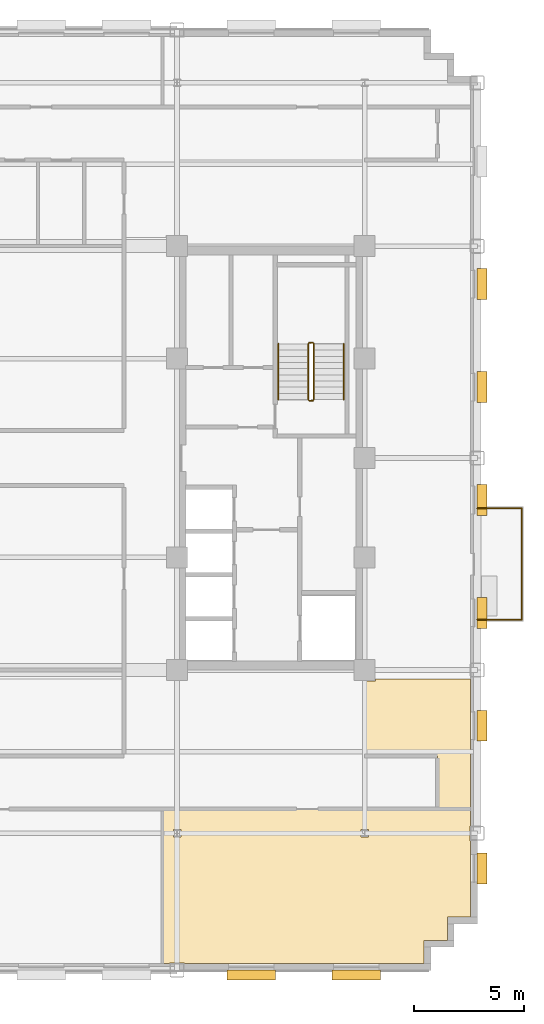
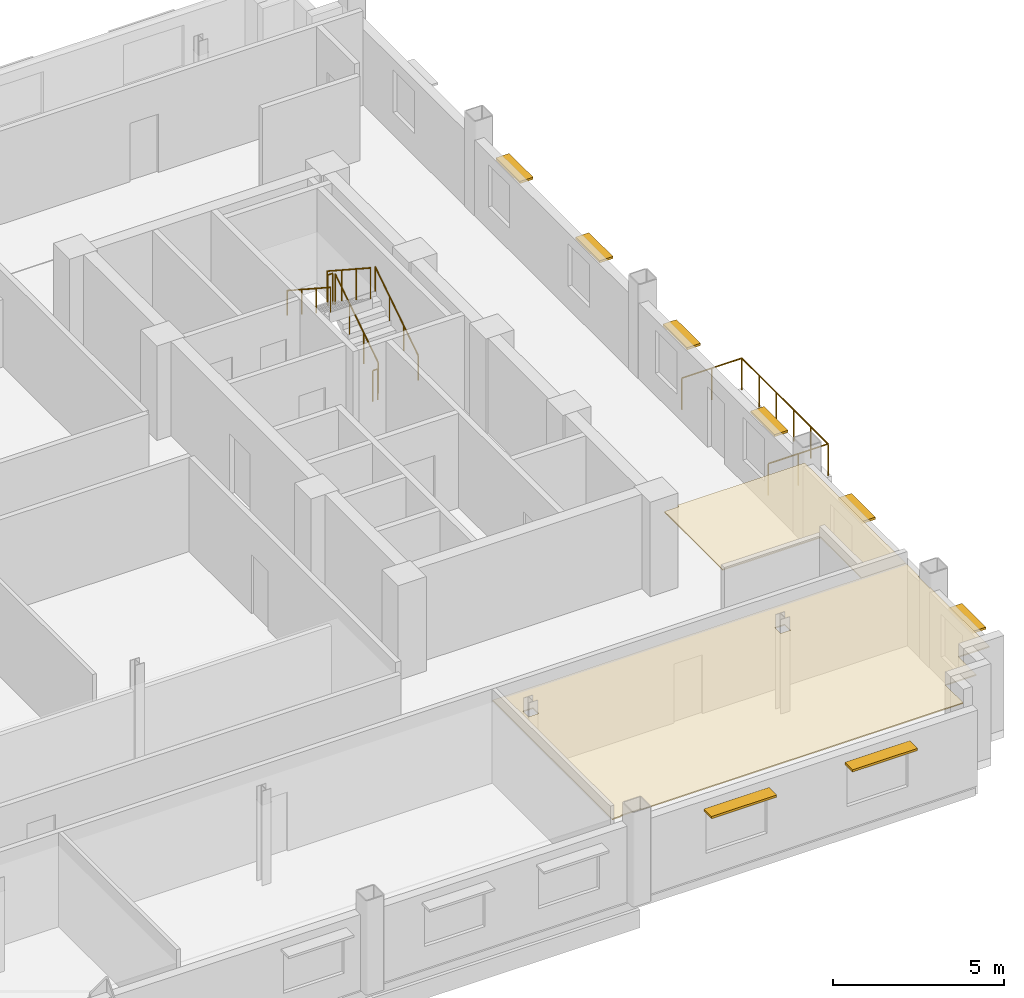
# One storey, part 13 of 14: 8 shading devices, 7 railings, 2 coverings.
"""IFC4 building model written with IfcOpenShell, lengths in metres."""

from ifc_helpers import new_model, si_unit, direction, frame, origin, origin_2d, place, context, subcontext, project, spatial, polyline, rectangle, circle, outline, extrude, source, transform, mapped, material, layer, layer_set, type_object, type_shapes, element, save


model = new_model("IFC4")

# Units and contexts
model_context = context("Model", 3, precision=1e-05, world=origin(), true_north=direction((0.0, 1.0)))
body_context = subcontext(model_context, "Body", "Model", "MODEL_VIEW")
ifc_project = project(units=[si_unit("LENGTHUNIT", "METRE"), si_unit("AREAUNIT", "SQUARE_METRE"), si_unit("VOLUMEUNIT", "CUBIC_METRE"), si_unit("PLANEANGLEUNIT", "RADIAN"), si_unit("MASSUNIT", "GRAM", prefix="KILO")], contexts=[model_context])

# Site, building, storey
site_placement = place(None, origin())
site = spatial("IfcSite", under=ifc_project, at=site_placement, CompositionType="ELEMENT")
building_placement = place(site_placement, origin())
building = spatial("IfcBuilding", under=site, at=building_placement, Name="Nuvemarco Arch Tower", CompositionType="ELEMENT")
storey_placement = place(building_placement, frame((0.0, 0.0, 171.300048828125)))
storey = spatial("IfcBuildingStorey", under=building, at=storey_placement, Name="L45", CompositionType="ELEMENT", Elevation=171.300048828125)

# Coverings
ifc_material_1 = material(Name="Mineral acoustic ceiling tile")
ifc_layer = layer(ifc_material_1, 0.0400390625, Name="COV-ACOUSTIC-CLG")
ifc_layer_set = layer_set([ifc_layer], Name="Mineral acoustic ceiling tile")
covering_type = type_object("IfcCoveringType", Name="COV-ACOUSTIC-CLG", PredefinedType="CEILING", material=ifc_layer_set)
covering_1_placement = place(storey_placement, frame((0.0, 0.0, 2.849853515625)))
element("IfcCovering", 1, at=covering_1_placement, inside=storey, type_object=covering_type, Name="L45 suspended acoustic ceiling 2", PredefinedType="CEILING", context=body_context, shape_type="SweptSolid", body=[
    extrude(outline(polyline([(17.5, -10.090087890625), (17.989990234375, -10.090087890625), (17.989990234375, -10.0), (22.2900390625, -10.0), (22.2900390625, -15.89990234375), (20.800048828125, -15.89990234375), (20.800048828125, -13.5), (17.5, -13.5), (17.5, -10.090087890625)])), origin(), (0.0, 0.0, 1.0), 0.0400390625),
])
covering_2_placement = place(storey_placement, frame((0.0, 0.0, 2.849853515625)))
element("IfcCovering", 2, at=covering_2_placement, inside=storey, type_object=covering_type, Name="L45 suspended acoustic ceiling 6", PredefinedType="CEILING", context=body_context, shape_type="SweptSolid", body=[
    extrude(outline(polyline([(20.18994140625, -22.889892578125), (9.340087890625, -22.889892578125), (9.340087890625, -22.860107421875), (8.659912109375, -22.860107421875), (8.659912109375, -22.889892578125), (8.35009765625, -22.889892578125), (8.35009765625, -15.89990234375), (9.0, -15.89990234375), (20.800048828125, -15.89990234375), (22.2900390625, -15.89990234375), (22.2900390625, -16.659912109375), (22.260009765625, -16.659912109375), (22.260009765625, -17.340087890625), (22.2900390625, -17.340087890625), (22.2900390625, -20.7900390625), (21.239990234375, -20.7900390625), (21.239990234375, -21.840087890625), (20.18994140625, -21.840087890625), (20.18994140625, -22.889892578125)]), holes=[polyline([(9.169921875, -17.169921875), (9.169921875, -16.830078125), (8.830078125, -16.830078125), (8.830078125, -17.169921875), (9.169921875, -17.169921875)]), polyline([(17.669921875, -17.169921875), (17.669921875, -16.830078125), (17.330078125, -16.830078125), (17.330078125, -17.169921875), (17.669921875, -17.169921875)])]), origin(), (0.0, 0.0, 1.0), 0.0400390625),
])

# Railings
ifc_material_2 = material(Name="Brushed stainless steel handrail", Category="steel")
railing_type_1 = type_object("IfcRailingType", Name="RL-HANDRAIL-900", PredefinedType="HANDRAIL", material=ifc_material_2)
railing_1_placement = place(storey_placement, frame((16.550048828125, 2.64990234375, 0.182373046875)))
element("IfcRailing", 3, at=railing_1_placement, inside=storey, type_object=railing_type_1, Name="L45 ST-2 stair handrail 1", PredefinedType="HANDRAIL", context=body_context, shape_type="SweptSolid", body=[
    extrude(circle(Radius=0.02392578125, at=origin_2d()), frame((0.0, 0.0, 0.8759765625), z_axis=(0.0, 0.837749427056, 0.546054848405), x_axis=(-1.0, 0.0, 0.0)), (0.0, 0.0, 1.0), 3.008056640625),
    extrude(circle(Radius=0.02099609375, at=origin_2d()), origin(), (0.0, 0.0, 1.0), 0.851806640625),
    extrude(circle(Radius=0.02099609375, at=origin_2d()), frame((0.0, 0.840087890625, 0.547607421875)), (0.0, 0.0, 1.0), 0.851806640625),
    extrude(circle(Radius=0.02099609375, at=origin_2d()), frame((0.0, 1.679931640625, 1.094970703125)), (0.0, 0.0, 1.0), 0.851806640625),
    extrude(circle(Radius=0.02099609375, at=origin_2d()), frame((0.0, 2.52001953125, 1.642578125)), (0.0, 0.0, 1.0), 0.851806640625),
])
railing_2_placement = place(storey_placement, frame((13.590087890625, 5.169921875, 2.007568359375)))
element("IfcRailing", 4, at=railing_2_placement, inside=storey, type_object=railing_type_1, Name="L45 ST-2 stair handrail 2", PredefinedType="HANDRAIL", context=body_context, shape_type="SweptSolid", body=[
    extrude(circle(Radius=0.02392578125, at=origin_2d()), frame((0.0, 0.0, 0.8759765625), z_axis=(0.0, -0.837786554691, 0.545997883492), x_axis=(1.0, 0.0, 0.0)), (0.0, 0.0, 1.0), 3.008056640625),
    extrude(circle(Radius=0.02099609375, at=origin_2d()), origin(), (0.0, 0.0, 1.0), 0.851806640625),
    extrude(circle(Radius=0.02099609375, at=origin_2d()), frame((0.0, -0.840087890625, 0.54736328125)), (0.0, 0.0, 1.0), 0.851806640625),
    extrude(circle(Radius=0.02099609375, at=origin_2d()), frame((0.0, -1.679931640625, 1.094970703125)), (0.0, 0.0, 1.0), 0.851806640625),
    extrude(circle(Radius=0.02099609375, at=origin_2d()), frame((0.0, -2.52001953125, 1.642333984375)), (0.0, 0.0, 1.0), 0.851806640625),
])
ifc_material_3 = material(Name="Painted balustrade steel S355", Category="steel")
railing_type_2 = type_object("IfcRailingType", Name="RL-STAIR-GUARD", PredefinedType="GUARDRAIL", material=ifc_material_3)
railing_3_placement = place(storey_placement, frame((15.199951171875, 2.64990234375, 0.182373046875)))
element("IfcRailing", 5, at=railing_3_placement, inside=storey, type_object=railing_type_2, Name="L45 ST-2 stair guard 1", PredefinedType="GUARDRAIL", context=body_context, shape_type="SweptSolid", body=[
    extrude(circle(Radius=0.02392578125, at=origin_2d()), frame((0.0, 0.0, 1.09619140625), z_axis=(0.0, 0.837749427056, 0.546054848405), x_axis=(-1.0, 0.0, 0.0)), (0.0, 0.0, 1.0), 3.008056640625),
    extrude(circle(Radius=0.02099609375, at=origin_2d()), origin(), (0.0, 0.0, 1.0), 1.072021484375),
    extrude(circle(Radius=0.02099609375, at=origin_2d()), frame((0.0, 0.840087890625, 0.547607421875)), (0.0, 0.0, 1.0), 1.072021484375),
    extrude(circle(Radius=0.02099609375, at=origin_2d()), frame((0.0, 1.679931640625, 1.094970703125)), (0.0, 0.0, 1.0), 1.072021484375),
    extrude(circle(Radius=0.02099609375, at=origin_2d()), frame((0.0, 2.52001953125, 1.642578125)), (0.0, 0.0, 1.0), 1.072021484375),
])
railing_4_placement = place(storey_placement, frame((15.14990234375, 5.219970703125, 1.824951171875)))
element("IfcRailing", 6, at=railing_4_placement, inside=storey, type_object=railing_type_2, Name="L45 ST-2 stair guard 2", PredefinedType="GUARDRAIL", context=body_context, shape_type="SweptSolid", body=[
    extrude(circle(Radius=0.02392578125, at=origin_2d()), frame((0.0, 0.0, 1.09619140625), z_axis=(-1.0, 0.0, 0.0), x_axis=(0.0, -1.0, 0.0)), (0.0, 0.0, 1.0), 0.159912109375),
    extrude(circle(Radius=0.02099609375, at=origin_2d()), origin(), (0.0, 0.0, 1.0), 1.072021484375),
    extrude(circle(Radius=0.02099609375, at=origin_2d()), frame((-0.159912109375, 0.0, 0.0)), (0.0, 0.0, 1.0), 1.072021484375),
])
railing_5_placement = place(storey_placement, frame((14.93994140625, 5.169921875, 2.007568359375)))
element("IfcRailing", 7, at=railing_5_placement, inside=storey, type_object=railing_type_2, Name="L45 ST-2 stair guard 3", PredefinedType="GUARDRAIL", context=body_context, shape_type="SweptSolid", body=[
    extrude(circle(Radius=0.02392578125, at=origin_2d()), frame((0.0, 0.0, 1.09619140625), z_axis=(0.0, -0.837786554691, 0.545997883492), x_axis=(1.0, 0.0, 0.0)), (0.0, 0.0, 1.0), 3.008056640625),
    extrude(circle(Radius=0.02099609375, at=origin_2d()), origin(), (0.0, 0.0, 1.0), 1.072021484375),
    extrude(circle(Radius=0.02099609375, at=origin_2d()), frame((0.0, -0.840087890625, 0.54736328125)), (0.0, 0.0, 1.0), 1.072021484375),
    extrude(circle(Radius=0.02099609375, at=origin_2d()), frame((0.0, -1.679931640625, 1.094970703125)), (0.0, 0.0, 1.0), 1.072021484375),
    extrude(circle(Radius=0.02099609375, at=origin_2d()), frame((0.0, -2.52001953125, 1.642333984375)), (0.0, 0.0, 1.0), 1.072021484375),
])
railing_6_placement = place(storey_placement, frame((15.14990234375, 2.60009765625, 0.0)))
element("IfcRailing", 8, at=railing_6_placement, inside=storey, type_object=railing_type_2, Name="L45 ST-2 stair guard 4", PredefinedType="GUARDRAIL", context=body_context, shape_type="SweptSolid", body=[
    extrude(circle(Radius=0.02392578125, at=origin_2d()), frame((0.0, 0.0, 1.09619140625), z_axis=(-1.0, 0.0, 0.0), x_axis=(0.0, -1.0, 0.0)), (0.0, 0.0, 1.0), 0.159912109375),
    extrude(circle(Radius=0.02099609375, at=origin_2d()), origin(), (0.0, 0.0, 1.0), 1.072021484375),
    extrude(circle(Radius=0.02099609375, at=origin_2d()), frame((-0.159912109375, 0.0, 0.0)), (0.0, 0.0, 1.0), 1.072021484375),
])
ifc_material_4 = material(Name="Dark anodised balustrade steel S355", Category="steel")
railing_type_3 = type_object("IfcRailingType", Name="RL-TERR-GUARD", PredefinedType="BALUSTRADE", material=ifc_material_4)
railing_7_placement = place(storey_placement, frame((22.60009765625, -7.320068359375, 0.0)))
element("IfcRailing", 9, at=railing_7_placement, inside=storey, type_object=railing_type_3, Name="L45 tree balcony perimeter balustrade guard", PredefinedType="BALUSTRADE", context=body_context, shape_type="SweptSolid", body=[
    extrude(circle(Radius=0.02392578125, at=origin_2d()), frame((0.0, 0.0, 1.1259765625), z_axis=(1.0, 0.0, 0.0), x_axis=(0.0, 1.0, 0.0)), (0.0, 0.0, 1.0), 2.02001953125),
    extrude(circle(Radius=0.02392578125, at=origin_2d()), frame((2.02001953125, 0.0, 1.1259765625), z_axis=(0.0, 1.0, 0.0), x_axis=(-1.0, 0.0, 0.0)), (0.0, 0.0, 1.0), 5.0400390625),
    extrude(circle(Radius=0.02392578125, at=origin_2d()), frame((2.02001953125, 5.0400390625, 1.1259765625), z_axis=(-1.0, 0.0, 0.0), x_axis=(0.0, -1.0, 0.0)), (0.0, 0.0, 1.0), 2.02001953125),
    extrude(circle(Radius=0.02099609375, at=origin_2d()), origin(), (0.0, 0.0, 1.0), 1.101806640625),
    extrude(circle(Radius=0.02099609375, at=origin_2d()), frame((1.010009765625, 0.0, 0.0)), (0.0, 0.0, 1.0), 1.101806640625),
    extrude(circle(Radius=0.02099609375, at=origin_2d()), frame((2.02001953125, 0.0, 0.0)), (0.0, 0.0, 1.0), 1.101806640625),
    extrude(circle(Radius=0.02099609375, at=origin_2d()), frame((2.02001953125, 1.008056640625, 0.0)), (0.0, 0.0, 1.0), 1.101806640625),
    extrude(circle(Radius=0.02099609375, at=origin_2d()), frame((2.02001953125, 2.01611328125, 0.0)), (0.0, 0.0, 1.0), 1.101806640625),
    extrude(circle(Radius=0.02099609375, at=origin_2d()), frame((2.02001953125, 3.02392578125, 0.0)), (0.0, 0.0, 1.0), 1.101806640625),
    extrude(circle(Radius=0.02099609375, at=origin_2d()), frame((2.02001953125, 4.031982421875, 0.0)), (0.0, 0.0, 1.0), 1.101806640625),
    extrude(circle(Radius=0.02099609375, at=origin_2d()), frame((2.02001953125, 5.0400390625, 0.0)), (0.0, 0.0, 1.0), 1.101806640625),
    extrude(circle(Radius=0.02099609375, at=origin_2d()), frame((1.010009765625, 5.0400390625, 0.0)), (0.0, 0.0, 1.0), 1.101806640625),
    extrude(circle(Radius=0.02099609375, at=origin_2d()), frame((0.0, 5.0400390625, 0.0)), (0.0, 0.0, 1.0), 1.101806640625),
])

# Shading devices
ifc_material_5 = material(Name="Anodised aluminium 6063-T6", Category="aluminium")
shading_device_type_1 = type_object("IfcShadingDeviceType", Name="SHD-BRISE-SOLEIL", PredefinedType="USERDEFINED", material=ifc_material_5)
shared_shape_1 = source(origin(), body_context, "Body", "SweptSolid", [
    extrude(rectangle(XDim=2.199951171875, YDim=0.449951171875, at=origin_2d()), origin(), (0.0, 0.0, 1.0), 0.080078125),
])
type_shapes(shading_device_type_1, [shared_shape_1])
for number, where, z_axis, x_axis, name in (
    (10, (12.36669921875, -23.4150390625, 2.324951171875), (0.0, 0.0, 1.0), (1.0, 0.0, 0.0), "L45 horizontal brise-soleil sunshade"),
    (11, (17.122314453125, -23.4150390625, 2.324951171875), (0.0, 0.0, 1.0), (1.0, 0.0, 0.0), "L45 horizontal brise-soleil sunshade"),
):
    element("IfcShadingDevice", number, at=place(storey_placement, frame(where, z_axis=z_axis, x_axis=x_axis)), inside=storey, type_object=shading_device_type_1, Name=name, ObjectType="SUNSHADE", PredefinedType="USERDEFINED", context=body_context, shape_type="MappedRepresentation", body=[
        mapped(shared_shape_1, transform((0.0, 0.0, 0.0), scale=1.0)),
    ])
shading_device_type_2 = type_object("IfcShadingDeviceType", Name="SHD-BRISE-NARROW", PredefinedType="USERDEFINED", material=ifc_material_5)
shared_shape_2 = source(origin(), body_context, "Body", "SweptSolid", [
    extrude(rectangle(XDim=1.39990234375, YDim=0.449951171875, at=origin_2d()), origin(), (0.0, 0.0, 1.0), 0.080078125),
])
type_shapes(shading_device_type_2, [shared_shape_2])
for number, where, z_axis, x_axis, name in (
    (12, (22.81494140625, -18.587646484375, 2.324951171875), (0.0, 0.0, 1.0), (0.0, 1.0, 0.0), "L45 horizontal brise-soleil sunshade"),
    (13, (22.81494140625, -12.125, 2.324951171875), (0.0, 0.0, 1.0), (0.0, 1.0, 0.0), "L45 horizontal brise-soleil sunshade"),
    (14, (22.81494140625, -7.0126953125, 2.324951171875), (0.0, 0.0, 1.0), (0.0, 1.0, 0.0), "L45 horizontal brise-soleil sunshade"),
    (15, (22.81494140625, -1.89990234375, 2.324951171875), (0.0, 0.0, 1.0), (0.0, 1.0, 0.0), "L45 horizontal brise-soleil sunshade"),
    (16, (22.81494140625, 3.212646484375, 2.324951171875), (0.0, 0.0, 1.0), (0.0, 1.0, 0.0), "L45 horizontal brise-soleil sunshade"),
    (17, (22.81494140625, 7.875, 2.324951171875), (0.0, 0.0, 1.0), (0.0, 1.0, 0.0), "L45 horizontal brise-soleil sunshade"),
):
    element("IfcShadingDevice", number, at=place(storey_placement, frame(where, z_axis=z_axis, x_axis=x_axis)), inside=storey, type_object=shading_device_type_2, Name=name, ObjectType="SUNSHADE", PredefinedType="USERDEFINED", context=body_context, shape_type="MappedRepresentation", body=[
        mapped(shared_shape_2, transform((0.0, 0.0, 0.0), scale=1.0)),
    ])

save(model, "model.ifc")
